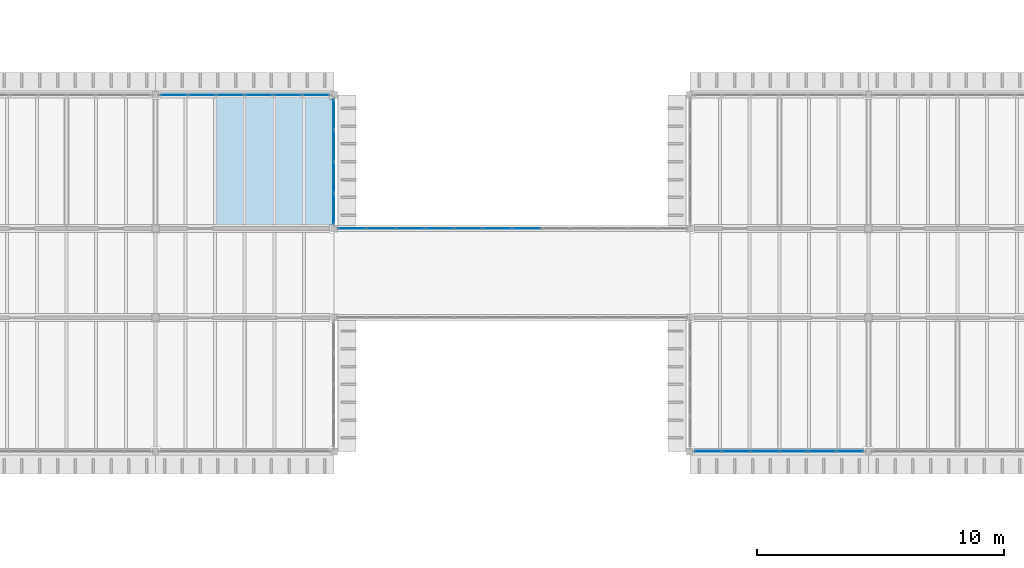
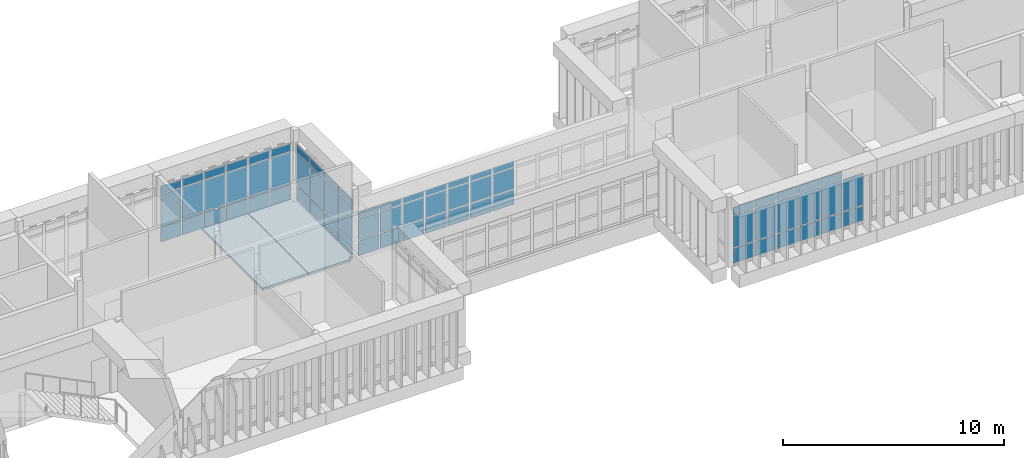
# One storey, part 25 of 51: 68 plates, 2 slabs, 4 elements without a shape of their own.
"""IFC4 building model written with IfcOpenShell, lengths in metres."""

from ifc_helpers import new_model, si_unit, direction, frame, origin, origin_2d, place, context, subcontext, project, spatial, polyline, rectangle, outline, extrude, material, layer, layer_set, type_object, element, aggregate, save


model = new_model("IFC4")

# Units and contexts
model_context = context("Model", 3, precision=1e-05, world=origin(), true_north=direction((0.0, 1.0)))
body_context = subcontext(model_context, "Body", "Model", "MODEL_VIEW")
ifc_project = project(units=[si_unit("LENGTHUNIT", "METRE"), si_unit("AREAUNIT", "SQUARE_METRE"), si_unit("VOLUMEUNIT", "CUBIC_METRE"), si_unit("PLANEANGLEUNIT", "RADIAN"), si_unit("MASSUNIT", "GRAM", prefix="KILO")], contexts=[model_context])

# Site, building, storey
site_placement = place(None, origin())
site = spatial("IfcSite", under=ifc_project, at=site_placement, CompositionType="ELEMENT")
building_placement = place(site_placement, origin())
building = spatial("IfcBuilding", under=site, at=building_placement, Name="Mazhai Court Health Centre", CompositionType="ELEMENT")
storey_placement = place(building_placement, frame((0.0, 0.0, 14.10009765625)))
storey = spatial("IfcBuildingStorey", under=building, at=storey_placement, Name="L03", CompositionType="ELEMENT", Elevation=14.10009765625)

# Slabs
ifc_material_1 = material(Name="CLT C24 5-ply", Category="wood")
ifc_layer_1 = layer(ifc_material_1, 0.1201171875)
ifc_layer_set_1 = layer_set([ifc_layer_1], Name="CLT C24 5-ply 120 floor panel")
slab_type = type_object("IfcSlabType", Name="CLT C24 5-ply 120 floor panel", PredefinedType="FLOOR", material=ifc_layer_set_1)
slab_1_placement = place(storey_placement, frame((0.0, 0.0, -0.1201171875)))
element("IfcSlab", 1, at=slab_1_placement, inside=storey, type_object=slab_type, Name="slab-V4-L03-b2-B1", PredefinedType="FLOOR", context=body_context, shape_type="SweptSolid", body=[
    extrude(outline(polyline([(87.81005859375, 22.409912109375), (90.18994140625, 22.409912109375), (90.18994140625, 27.919921875), (87.81005859375, 27.919921875), (87.81005859375, 22.409912109375)])), origin(), (0.0, 0.0, 1.0), 0.1201171875),
])
slab_2_placement = place(storey_placement, frame((0.0, 0.0, -0.1201171875)))
element("IfcSlab", 2, at=slab_2_placement, inside=storey, type_object=slab_type, Name="slab-V4-L03-b2-B2", PredefinedType="FLOOR", context=body_context, shape_type="SweptSolid", body=[
    extrude(outline(polyline([(92.60009765625, 22.570068359375), (92.60009765625, 27.6298828125), (92.429931640625, 27.6298828125), (92.429931640625, 27.919921875), (90.2099609375, 27.919921875), (90.2099609375, 22.409912109375), (92.429931640625, 22.409912109375), (92.429931640625, 22.570068359375), (92.60009765625, 22.570068359375)])), origin(), (0.0, 0.0, 1.0), 0.1201171875),
])

# Curtain wall, plates
ifc_material_2 = material(Name="Teak timber frame, glazed", Category="wood")
ifc_layer_2 = layer(ifc_material_2, 0.10009765625)
ifc_layer_set_2 = layer_set([ifc_layer_2], Name="CURTAIN WALL TIMBER 1200")
curtain_wall_type = type_object("IfcCurtainWallType", Name="CURTAIN WALL TIMBER 1200", PredefinedType="NOTDEFINED", material=ifc_layer_set_2)
curtain_wall_1_placement = place(storey_placement, origin())
curtain_wall_1 = element("IfcCurtainWall", 3, at=curtain_wall_1_placement, inside=storey, type_object=curtain_wall_type, Name="CW-V4-L03-A5", PredefinedType="NOTDEFINED")
ifc_material_3 = material(Name="Glass IGU 28 mm", Category="glass")
ifc_layer_3 = layer(ifc_material_3, 0.028076171875)
ifc_layer_set_3 = layer_set([ifc_layer_3], Name="CW PANEL IGU 28")
plate_type = type_object("IfcPlateType", Name="CW PANEL IGU 28", PredefinedType="CURTAIN_PANEL", material=ifc_layer_set_3)
plate_1_placement = place(storey_placement, frame((113.46826171875, 13.39990234375, 0.059814453125), z_axis=(0.0, 0.0, 1.0), x_axis=(-1.0, 0.0, 0.0)))
plate_1 = element("IfcPlate", 4, at=plate_1_placement, type_object=plate_type, Name="CW panel 1.1", PredefinedType="CURTAIN_PANEL", context=body_context, shape_type="SweptSolid", body=[
    extrude(rectangle(XDim=1.063232421875, YDim=0.028076171875, at=origin_2d()), origin(), (0.0, 0.0, 1.0), 0.81005859375),
])
plate_2_placement = place(storey_placement, frame((113.46826171875, 13.39990234375, 0.9296875), z_axis=(0.0, 0.0, 1.0), x_axis=(-1.0, 0.0, 0.0)))
plate_2 = element("IfcPlate", 5, at=plate_2_placement, type_object=plate_type, Name="CW panel 1.2", PredefinedType="CURTAIN_PANEL", context=body_context, shape_type="SweptSolid", body=[
    extrude(rectangle(XDim=1.063232421875, YDim=0.028076171875, at=origin_2d()), origin(), (0.0, 0.0, 1.0), 1.739990234375),
])
plate_3_placement = place(storey_placement, frame((112.330078125, 13.39990234375, 0.059814453125), z_axis=(0.0, 0.0, 1.0), x_axis=(-1.0, 0.0, 0.0)))
plate_3 = element("IfcPlate", 6, at=plate_3_placement, type_object=plate_type, Name="CW panel 2.1", PredefinedType="CURTAIN_PANEL", context=body_context, shape_type="SweptSolid", body=[
    extrude(rectangle(XDim=1.09326171875, YDim=0.028076171875, at=origin_2d()), origin(), (0.0, 0.0, 1.0), 0.81005859375),
])
plate_4_placement = place(storey_placement, frame((112.330078125, 13.39990234375, 0.9296875), z_axis=(0.0, 0.0, 1.0), x_axis=(-1.0, 0.0, 0.0)))
plate_4 = element("IfcPlate", 7, at=plate_4_placement, type_object=plate_type, Name="CW panel 2.2", PredefinedType="CURTAIN_PANEL", context=body_context, shape_type="SweptSolid", body=[
    extrude(rectangle(XDim=1.09326171875, YDim=0.028076171875, at=origin_2d()), origin(), (0.0, 0.0, 1.0), 1.739990234375),
])
plate_5_placement = place(storey_placement, frame((112.330078125, 13.39990234375, 2.72998046875), z_axis=(0.0, 0.0, 1.0), x_axis=(-1.0, 0.0, 0.0)))
plate_5 = element("IfcPlate", 8, at=plate_5_placement, type_object=plate_type, Name="CW panel 2.3", PredefinedType="CURTAIN_PANEL", context=body_context, shape_type="SweptSolid", body=[
    extrude(rectangle(XDim=1.09326171875, YDim=0.028076171875, at=origin_2d()), origin(), (0.0, 0.0, 1.0), 0.409912109375),
])
plate_6_placement = place(storey_placement, frame((111.1767578125, 13.39990234375, 0.059814453125), z_axis=(0.0, 0.0, 1.0), x_axis=(-1.0, 0.0, 0.0)))
plate_6 = element("IfcPlate", 9, at=plate_6_placement, type_object=plate_type, Name="CW panel 3.1", PredefinedType="CURTAIN_PANEL", context=body_context, shape_type="SweptSolid", body=[
    extrude(rectangle(XDim=1.09326171875, YDim=0.028076171875, at=origin_2d()), origin(), (0.0, 0.0, 1.0), 0.81005859375),
])
plate_7_placement = place(storey_placement, frame((111.1767578125, 13.39990234375, 0.9296875), z_axis=(0.0, 0.0, 1.0), x_axis=(-1.0, 0.0, 0.0)))
plate_7 = element("IfcPlate", 10, at=plate_7_placement, type_object=plate_type, Name="CW panel 3.2", PredefinedType="CURTAIN_PANEL", context=body_context, shape_type="SweptSolid", body=[
    extrude(rectangle(XDim=1.09326171875, YDim=0.028076171875, at=origin_2d()), origin(), (0.0, 0.0, 1.0), 1.739990234375),
])
plate_8_placement = place(storey_placement, frame((111.1767578125, 13.39990234375, 2.72998046875), z_axis=(0.0, 0.0, 1.0), x_axis=(-1.0, 0.0, 0.0)))
plate_8 = element("IfcPlate", 11, at=plate_8_placement, type_object=plate_type, Name="CW panel 3.3", PredefinedType="CURTAIN_PANEL", context=body_context, shape_type="SweptSolid", body=[
    extrude(rectangle(XDim=1.09326171875, YDim=0.028076171875, at=origin_2d()), origin(), (0.0, 0.0, 1.0), 0.409912109375),
])
plate_9_placement = place(storey_placement, frame((110.0234375, 13.39990234375, 0.059814453125), z_axis=(0.0, 0.0, 1.0), x_axis=(-1.0, 0.0, 0.0)))
plate_9 = element("IfcPlate", 12, at=plate_9_placement, type_object=plate_type, Name="CW panel 4.1", PredefinedType="CURTAIN_PANEL", context=body_context, shape_type="SweptSolid", body=[
    extrude(rectangle(XDim=1.09326171875, YDim=0.028076171875, at=origin_2d()), origin(), (0.0, 0.0, 1.0), 0.81005859375),
])
plate_10_placement = place(storey_placement, frame((110.0234375, 13.39990234375, 0.9296875), z_axis=(0.0, 0.0, 1.0), x_axis=(-1.0, 0.0, 0.0)))
plate_10 = element("IfcPlate", 13, at=plate_10_placement, type_object=plate_type, Name="CW panel 4.2", PredefinedType="CURTAIN_PANEL", context=body_context, shape_type="SweptSolid", body=[
    extrude(rectangle(XDim=1.09326171875, YDim=0.028076171875, at=origin_2d()), origin(), (0.0, 0.0, 1.0), 1.739990234375),
])
plate_11_placement = place(storey_placement, frame((110.0234375, 13.39990234375, 2.72998046875), z_axis=(0.0, 0.0, 1.0), x_axis=(-1.0, 0.0, 0.0)))
plate_11 = element("IfcPlate", 14, at=plate_11_placement, type_object=plate_type, Name="CW panel 4.3", PredefinedType="CURTAIN_PANEL", context=body_context, shape_type="SweptSolid", body=[
    extrude(rectangle(XDim=1.09326171875, YDim=0.028076171875, at=origin_2d()), origin(), (0.0, 0.0, 1.0), 0.409912109375),
])
plate_12_placement = place(storey_placement, frame((108.8701171875, 13.39990234375, 0.059814453125), z_axis=(0.0, 0.0, 1.0), x_axis=(-1.0, 0.0, 0.0)))
plate_12 = element("IfcPlate", 15, at=plate_12_placement, type_object=plate_type, Name="CW panel 5.1", PredefinedType="CURTAIN_PANEL", context=body_context, shape_type="SweptSolid", body=[
    extrude(rectangle(XDim=1.09326171875, YDim=0.028076171875, at=origin_2d()), origin(), (0.0, 0.0, 1.0), 0.81005859375),
])
plate_13_placement = place(storey_placement, frame((108.8701171875, 13.39990234375, 0.9296875), z_axis=(0.0, 0.0, 1.0), x_axis=(-1.0, 0.0, 0.0)))
plate_13 = element("IfcPlate", 16, at=plate_13_placement, type_object=plate_type, Name="CW panel 5.2", PredefinedType="CURTAIN_PANEL", context=body_context, shape_type="SweptSolid", body=[
    extrude(rectangle(XDim=1.09326171875, YDim=0.028076171875, at=origin_2d()), origin(), (0.0, 0.0, 1.0), 1.739990234375),
])
plate_14_placement = place(storey_placement, frame((108.8701171875, 13.39990234375, 2.72998046875), z_axis=(0.0, 0.0, 1.0), x_axis=(-1.0, 0.0, 0.0)))
plate_14 = element("IfcPlate", 17, at=plate_14_placement, type_object=plate_type, Name="CW panel 5.3", PredefinedType="CURTAIN_PANEL", context=body_context, shape_type="SweptSolid", body=[
    extrude(rectangle(XDim=1.09326171875, YDim=0.028076171875, at=origin_2d()), origin(), (0.0, 0.0, 1.0), 0.409912109375),
])
plate_15_placement = place(storey_placement, frame((107.731689453125, 13.39990234375, 0.059814453125), z_axis=(0.0, 0.0, 1.0), x_axis=(-1.0, 0.0, 0.0)))
plate_15 = element("IfcPlate", 18, at=plate_15_placement, type_object=plate_type, Name="CW panel 6.1", PredefinedType="CURTAIN_PANEL", context=body_context, shape_type="SweptSolid", body=[
    extrude(rectangle(XDim=1.063232421875, YDim=0.028076171875, at=origin_2d()), origin(), (0.0, 0.0, 1.0), 0.81005859375),
])
plate_16_placement = place(storey_placement, frame((107.731689453125, 13.39990234375, 0.9296875), z_axis=(0.0, 0.0, 1.0), x_axis=(-1.0, 0.0, 0.0)))
plate_16 = element("IfcPlate", 19, at=plate_16_placement, type_object=plate_type, Name="CW panel 6.2", PredefinedType="CURTAIN_PANEL", context=body_context, shape_type="SweptSolid", body=[
    extrude(rectangle(XDim=1.063232421875, YDim=0.028076171875, at=origin_2d()), origin(), (0.0, 0.0, 1.0), 1.739990234375),
])
plate_17_placement = place(storey_placement, frame((107.731689453125, 13.39990234375, 2.72998046875), z_axis=(0.0, 0.0, 1.0), x_axis=(-1.0, 0.0, 0.0)))
plate_17 = element("IfcPlate", 20, at=plate_17_placement, type_object=plate_type, Name="CW panel 6.3", PredefinedType="CURTAIN_PANEL", context=body_context, shape_type="SweptSolid", body=[
    extrude(rectangle(XDim=1.063232421875, YDim=0.028076171875, at=origin_2d()), origin(), (0.0, 0.0, 1.0), 0.409912109375),
])
aggregate(curtain_wall_1, [plate_1, plate_2, plate_3, plate_4, plate_5, plate_6, plate_7, plate_8, plate_9, plate_10, plate_11, plate_12, plate_13, plate_14, plate_15, plate_16, plate_17])

curtain_wall_2_placement = place(storey_placement, origin())
curtain_wall_2 = element("IfcCurtainWall", 21, at=curtain_wall_2_placement, inside=storey, type_object=curtain_wall_type, Name="CW-V4-L03-B2", PredefinedType="NOTDEFINED")
plate_18_placement = place(storey_placement, frame((86.131591796875, 27.800048828125, 0.059814453125), z_axis=(0.0, 0.0, 1.0), x_axis=(1.0, 0.0, 0.0)))
plate_18 = element("IfcPlate", 22, at=plate_18_placement, type_object=plate_type, Name="CW panel 1.1", PredefinedType="CURTAIN_PANEL", context=body_context, shape_type="SweptSolid", body=[
    extrude(rectangle(XDim=1.063232421875, YDim=0.028076171875, at=origin_2d()), origin(), (0.0, 0.0, 1.0), 0.81005859375),
])
plate_19_placement = place(storey_placement, frame((86.131591796875, 27.800048828125, 0.9296875), z_axis=(0.0, 0.0, 1.0), x_axis=(1.0, 0.0, 0.0)))
plate_19 = element("IfcPlate", 23, at=plate_19_placement, type_object=plate_type, Name="CW panel 1.2", PredefinedType="CURTAIN_PANEL", context=body_context, shape_type="SweptSolid", body=[
    extrude(rectangle(XDim=1.063232421875, YDim=0.028076171875, at=origin_2d()), origin(), (0.0, 0.0, 1.0), 1.739990234375),
])
plate_20_placement = place(storey_placement, frame((86.131591796875, 27.800048828125, 2.72998046875), z_axis=(0.0, 0.0, 1.0), x_axis=(1.0, 0.0, 0.0)))
plate_20 = element("IfcPlate", 24, at=plate_20_placement, type_object=plate_type, Name="CW panel 1.3", PredefinedType="CURTAIN_PANEL", context=body_context, shape_type="SweptSolid", body=[
    extrude(rectangle(XDim=1.063232421875, YDim=0.028076171875, at=origin_2d()), origin(), (0.0, 0.0, 1.0), 0.409912109375),
])
plate_21_placement = place(storey_placement, frame((87.27001953125, 27.800048828125, 0.059814453125), z_axis=(0.0, 0.0, 1.0), x_axis=(1.0, 0.0, 0.0)))
plate_21 = element("IfcPlate", 25, at=plate_21_placement, type_object=plate_type, Name="CW panel 2.1", PredefinedType="CURTAIN_PANEL", context=body_context, shape_type="SweptSolid", body=[
    extrude(rectangle(XDim=1.09326171875, YDim=0.028076171875, at=origin_2d()), origin(), (0.0, 0.0, 1.0), 0.81005859375),
])
plate_22_placement = place(storey_placement, frame((87.27001953125, 27.800048828125, 0.9296875), z_axis=(0.0, 0.0, 1.0), x_axis=(1.0, 0.0, 0.0)))
plate_22 = element("IfcPlate", 26, at=plate_22_placement, type_object=plate_type, Name="CW panel 2.2", PredefinedType="CURTAIN_PANEL", context=body_context, shape_type="SweptSolid", body=[
    extrude(rectangle(XDim=1.09326171875, YDim=0.028076171875, at=origin_2d()), origin(), (0.0, 0.0, 1.0), 1.739990234375),
])
plate_23_placement = place(storey_placement, frame((87.27001953125, 27.800048828125, 2.72998046875), z_axis=(0.0, 0.0, 1.0), x_axis=(1.0, 0.0, 0.0)))
plate_23 = element("IfcPlate", 27, at=plate_23_placement, type_object=plate_type, Name="CW panel 2.3", PredefinedType="CURTAIN_PANEL", context=body_context, shape_type="SweptSolid", body=[
    extrude(rectangle(XDim=1.09326171875, YDim=0.028076171875, at=origin_2d()), origin(), (0.0, 0.0, 1.0), 0.409912109375),
])
plate_24_placement = place(storey_placement, frame((88.42333984375, 27.800048828125, 0.059814453125), z_axis=(0.0, 0.0, 1.0), x_axis=(1.0, 0.0, 0.0)))
plate_24 = element("IfcPlate", 28, at=plate_24_placement, type_object=plate_type, Name="CW panel 3.1", PredefinedType="CURTAIN_PANEL", context=body_context, shape_type="SweptSolid", body=[
    extrude(rectangle(XDim=1.09326171875, YDim=0.028076171875, at=origin_2d()), origin(), (0.0, 0.0, 1.0), 0.81005859375),
])
plate_25_placement = place(storey_placement, frame((88.42333984375, 27.800048828125, 0.9296875), z_axis=(0.0, 0.0, 1.0), x_axis=(1.0, 0.0, 0.0)))
plate_25 = element("IfcPlate", 29, at=plate_25_placement, type_object=plate_type, Name="CW panel 3.2", PredefinedType="CURTAIN_PANEL", context=body_context, shape_type="SweptSolid", body=[
    extrude(rectangle(XDim=1.09326171875, YDim=0.028076171875, at=origin_2d()), origin(), (0.0, 0.0, 1.0), 1.739990234375),
])
plate_26_placement = place(storey_placement, frame((88.42333984375, 27.800048828125, 2.72998046875), z_axis=(0.0, 0.0, 1.0), x_axis=(1.0, 0.0, 0.0)))
plate_26 = element("IfcPlate", 30, at=plate_26_placement, type_object=plate_type, Name="CW panel 3.3", PredefinedType="CURTAIN_PANEL", context=body_context, shape_type="SweptSolid", body=[
    extrude(rectangle(XDim=1.09326171875, YDim=0.028076171875, at=origin_2d()), origin(), (0.0, 0.0, 1.0), 0.409912109375),
])
plate_27_placement = place(storey_placement, frame((89.57666015625, 27.800048828125, 0.059814453125), z_axis=(0.0, 0.0, 1.0), x_axis=(1.0, 0.0, 0.0)))
plate_27 = element("IfcPlate", 31, at=plate_27_placement, type_object=plate_type, Name="CW panel 4.1", PredefinedType="CURTAIN_PANEL", context=body_context, shape_type="SweptSolid", body=[
    extrude(rectangle(XDim=1.09326171875, YDim=0.028076171875, at=origin_2d()), origin(), (0.0, 0.0, 1.0), 0.81005859375),
])
plate_28_placement = place(storey_placement, frame((89.57666015625, 27.800048828125, 0.9296875), z_axis=(0.0, 0.0, 1.0), x_axis=(1.0, 0.0, 0.0)))
plate_28 = element("IfcPlate", 32, at=plate_28_placement, type_object=plate_type, Name="CW panel 4.2", PredefinedType="CURTAIN_PANEL", context=body_context, shape_type="SweptSolid", body=[
    extrude(rectangle(XDim=1.09326171875, YDim=0.028076171875, at=origin_2d()), origin(), (0.0, 0.0, 1.0), 1.739990234375),
])
plate_29_placement = place(storey_placement, frame((89.57666015625, 27.800048828125, 2.72998046875), z_axis=(0.0, 0.0, 1.0), x_axis=(1.0, 0.0, 0.0)))
plate_29 = element("IfcPlate", 33, at=plate_29_placement, type_object=plate_type, Name="CW panel 4.3", PredefinedType="CURTAIN_PANEL", context=body_context, shape_type="SweptSolid", body=[
    extrude(rectangle(XDim=1.09326171875, YDim=0.028076171875, at=origin_2d()), origin(), (0.0, 0.0, 1.0), 0.409912109375),
])
plate_30_placement = place(storey_placement, frame((90.72998046875, 27.800048828125, 0.059814453125), z_axis=(0.0, 0.0, 1.0), x_axis=(1.0, 0.0, 0.0)))
plate_30 = element("IfcPlate", 34, at=plate_30_placement, type_object=plate_type, Name="CW panel 5.1", PredefinedType="CURTAIN_PANEL", context=body_context, shape_type="SweptSolid", body=[
    extrude(rectangle(XDim=1.09326171875, YDim=0.028076171875, at=origin_2d()), origin(), (0.0, 0.0, 1.0), 0.81005859375),
])
plate_31_placement = place(storey_placement, frame((90.72998046875, 27.800048828125, 0.9296875), z_axis=(0.0, 0.0, 1.0), x_axis=(1.0, 0.0, 0.0)))
plate_31 = element("IfcPlate", 35, at=plate_31_placement, type_object=plate_type, Name="CW panel 5.2", PredefinedType="CURTAIN_PANEL", context=body_context, shape_type="SweptSolid", body=[
    extrude(rectangle(XDim=1.09326171875, YDim=0.028076171875, at=origin_2d()), origin(), (0.0, 0.0, 1.0), 1.739990234375),
])
plate_32_placement = place(storey_placement, frame((90.72998046875, 27.800048828125, 2.72998046875), z_axis=(0.0, 0.0, 1.0), x_axis=(1.0, 0.0, 0.0)))
plate_32 = element("IfcPlate", 36, at=plate_32_placement, type_object=plate_type, Name="CW panel 5.3", PredefinedType="CURTAIN_PANEL", context=body_context, shape_type="SweptSolid", body=[
    extrude(rectangle(XDim=1.09326171875, YDim=0.028076171875, at=origin_2d()), origin(), (0.0, 0.0, 1.0), 0.409912109375),
])
plate_33_placement = place(storey_placement, frame((91.868408203125, 27.800048828125, 0.059814453125), z_axis=(0.0, 0.0, 1.0), x_axis=(1.0, 0.0, 0.0)))
plate_33 = element("IfcPlate", 37, at=plate_33_placement, type_object=plate_type, Name="CW panel 6.1", PredefinedType="CURTAIN_PANEL", context=body_context, shape_type="SweptSolid", body=[
    extrude(rectangle(XDim=1.063232421875, YDim=0.028076171875, at=origin_2d()), origin(), (0.0, 0.0, 1.0), 0.81005859375),
])
plate_34_placement = place(storey_placement, frame((91.868408203125, 27.800048828125, 0.9296875), z_axis=(0.0, 0.0, 1.0), x_axis=(1.0, 0.0, 0.0)))
plate_34 = element("IfcPlate", 38, at=plate_34_placement, type_object=plate_type, Name="CW panel 6.2", PredefinedType="CURTAIN_PANEL", context=body_context, shape_type="SweptSolid", body=[
    extrude(rectangle(XDim=1.063232421875, YDim=0.028076171875, at=origin_2d()), origin(), (0.0, 0.0, 1.0), 1.739990234375),
])
plate_35_placement = place(storey_placement, frame((91.868408203125, 27.800048828125, 2.72998046875), z_axis=(0.0, 0.0, 1.0), x_axis=(1.0, 0.0, 0.0)))
plate_35 = element("IfcPlate", 39, at=plate_35_placement, type_object=plate_type, Name="CW panel 6.3", PredefinedType="CURTAIN_PANEL", context=body_context, shape_type="SweptSolid", body=[
    extrude(rectangle(XDim=1.063232421875, YDim=0.028076171875, at=origin_2d()), origin(), (0.0, 0.0, 1.0), 0.409912109375),
])
aggregate(curtain_wall_2, [plate_18, plate_19, plate_20, plate_21, plate_22, plate_23, plate_24, plate_25, plate_26, plate_27, plate_28, plate_29, plate_30, plate_31, plate_32, plate_33, plate_34, plate_35])

curtain_wall_3_placement = place(storey_placement, origin())
curtain_wall_3 = element("IfcCurtainWall", 40, at=curtain_wall_3_placement, inside=storey, type_object=curtain_wall_type, Name="CW-V4-L03-CE2-1", PredefinedType="NOTDEFINED")
plate_36_placement = place(storey_placement, frame((92.60009765625, 27.0048828125, 0.059814453125), z_axis=(0.0, 0.0, 1.0), x_axis=(0.0, -1.0, 0.0)))
plate_36 = element("IfcPlate", 41, at=plate_36_placement, type_object=plate_type, Name="CW panel 1.1", PredefinedType="CURTAIN_PANEL", context=body_context, shape_type="SweptSolid", body=[
    extrude(rectangle(XDim=1.18994140625, YDim=0.028076171875, at=origin_2d()), origin(), (0.0, 0.0, 1.0), 0.81005859375),
])
plate_37_placement = place(storey_placement, frame((92.60009765625, 27.0048828125, 0.9296875), z_axis=(0.0, 0.0, 1.0), x_axis=(0.0, -1.0, 0.0)))
plate_37 = element("IfcPlate", 42, at=plate_37_placement, type_object=plate_type, Name="CW panel 1.2", PredefinedType="CURTAIN_PANEL", context=body_context, shape_type="SweptSolid", body=[
    extrude(rectangle(XDim=1.18994140625, YDim=0.028076171875, at=origin_2d()), origin(), (0.0, 0.0, 1.0), 1.739990234375),
])
plate_38_placement = place(storey_placement, frame((92.60009765625, 27.0048828125, 2.72998046875), z_axis=(0.0, 0.0, 1.0), x_axis=(0.0, -1.0, 0.0)))
plate_38 = element("IfcPlate", 43, at=plate_38_placement, type_object=plate_type, Name="CW panel 1.3", PredefinedType="CURTAIN_PANEL", context=body_context, shape_type="SweptSolid", body=[
    extrude(rectangle(XDim=1.18994140625, YDim=0.028076171875, at=origin_2d()), origin(), (0.0, 0.0, 1.0), 0.409912109375),
])
plate_39_placement = place(storey_placement, frame((92.60009765625, 25.739990234375, 0.059814453125), z_axis=(0.0, 0.0, 1.0), x_axis=(0.0, -1.0, 0.0)))
plate_39 = element("IfcPlate", 44, at=plate_39_placement, type_object=plate_type, Name="CW panel 2.1", PredefinedType="CURTAIN_PANEL", context=body_context, shape_type="SweptSolid", body=[
    extrude(rectangle(XDim=1.219970703125, YDim=0.028076171875, at=origin_2d()), origin(), (0.0, 0.0, 1.0), 0.81005859375),
])
plate_40_placement = place(storey_placement, frame((92.60009765625, 25.739990234375, 0.9296875), z_axis=(0.0, 0.0, 1.0), x_axis=(0.0, -1.0, 0.0)))
plate_40 = element("IfcPlate", 45, at=plate_40_placement, type_object=plate_type, Name="CW panel 2.2", PredefinedType="CURTAIN_PANEL", context=body_context, shape_type="SweptSolid", body=[
    extrude(rectangle(XDim=1.219970703125, YDim=0.028076171875, at=origin_2d()), origin(), (0.0, 0.0, 1.0), 1.739990234375),
])
plate_41_placement = place(storey_placement, frame((92.60009765625, 25.739990234375, 2.72998046875), z_axis=(0.0, 0.0, 1.0), x_axis=(0.0, -1.0, 0.0)))
plate_41 = element("IfcPlate", 46, at=plate_41_placement, type_object=plate_type, Name="CW panel 2.3", PredefinedType="CURTAIN_PANEL", context=body_context, shape_type="SweptSolid", body=[
    extrude(rectangle(XDim=1.219970703125, YDim=0.028076171875, at=origin_2d()), origin(), (0.0, 0.0, 1.0), 0.409912109375),
])
plate_42_placement = place(storey_placement, frame((92.60009765625, 24.4599609375, 0.059814453125), z_axis=(0.0, 0.0, 1.0), x_axis=(0.0, -1.0, 0.0)))
plate_42 = element("IfcPlate", 47, at=plate_42_placement, type_object=plate_type, Name="CW panel 3.1", PredefinedType="CURTAIN_PANEL", context=body_context, shape_type="SweptSolid", body=[
    extrude(rectangle(XDim=1.219970703125, YDim=0.028076171875, at=origin_2d()), origin(), (0.0, 0.0, 1.0), 0.81005859375),
])
plate_43_placement = place(storey_placement, frame((92.60009765625, 24.4599609375, 0.9296875), z_axis=(0.0, 0.0, 1.0), x_axis=(0.0, -1.0, 0.0)))
plate_43 = element("IfcPlate", 48, at=plate_43_placement, type_object=plate_type, Name="CW panel 3.2", PredefinedType="CURTAIN_PANEL", context=body_context, shape_type="SweptSolid", body=[
    extrude(rectangle(XDim=1.219970703125, YDim=0.028076171875, at=origin_2d()), origin(), (0.0, 0.0, 1.0), 1.739990234375),
])
plate_44_placement = place(storey_placement, frame((92.60009765625, 24.4599609375, 2.72998046875), z_axis=(0.0, 0.0, 1.0), x_axis=(0.0, -1.0, 0.0)))
plate_44 = element("IfcPlate", 49, at=plate_44_placement, type_object=plate_type, Name="CW panel 3.3", PredefinedType="CURTAIN_PANEL", context=body_context, shape_type="SweptSolid", body=[
    extrude(rectangle(XDim=1.219970703125, YDim=0.028076171875, at=origin_2d()), origin(), (0.0, 0.0, 1.0), 0.409912109375),
])
plate_45_placement = place(storey_placement, frame((92.60009765625, 23.195068359375, 0.059814453125), z_axis=(0.0, 0.0, 1.0), x_axis=(0.0, -1.0, 0.0)))
plate_45 = element("IfcPlate", 50, at=plate_45_placement, type_object=plate_type, Name="CW panel 4.1", PredefinedType="CURTAIN_PANEL", context=body_context, shape_type="SweptSolid", body=[
    extrude(rectangle(XDim=1.18994140625, YDim=0.028076171875, at=origin_2d()), origin(), (0.0, 0.0, 1.0), 0.81005859375),
])
plate_46_placement = place(storey_placement, frame((92.60009765625, 23.195068359375, 0.9296875), z_axis=(0.0, 0.0, 1.0), x_axis=(0.0, -1.0, 0.0)))
plate_46 = element("IfcPlate", 51, at=plate_46_placement, type_object=plate_type, Name="CW panel 4.2", PredefinedType="CURTAIN_PANEL", context=body_context, shape_type="SweptSolid", body=[
    extrude(rectangle(XDim=1.18994140625, YDim=0.028076171875, at=origin_2d()), origin(), (0.0, 0.0, 1.0), 1.739990234375),
])
plate_47_placement = place(storey_placement, frame((92.60009765625, 23.195068359375, 2.72998046875), z_axis=(0.0, 0.0, 1.0), x_axis=(0.0, -1.0, 0.0)))
plate_47 = element("IfcPlate", 52, at=plate_47_placement, type_object=plate_type, Name="CW panel 4.3", PredefinedType="CURTAIN_PANEL", context=body_context, shape_type="SweptSolid", body=[
    extrude(rectangle(XDim=1.18994140625, YDim=0.028076171875, at=origin_2d()), origin(), (0.0, 0.0, 1.0), 0.409912109375),
])
aggregate(curtain_wall_3, [plate_36, plate_37, plate_38, plate_39, plate_40, plate_41, plate_42, plate_43, plate_44, plate_45, plate_46, plate_47])

curtain_wall_4_placement = place(storey_placement, origin())
curtain_wall_4 = element("IfcCurtainWall", 53, at=curtain_wall_4_placement, inside=storey, type_object=curtain_wall_type, Name="CW-BR-LC3-N", PredefinedType="NOTDEFINED")
plate_48_placement = place(storey_placement, frame((93.34326171875, 22.39990234375, 0.059814453125), z_axis=(0.0, 0.0, 1.0), x_axis=(1.0, 0.0, 0.0)))
plate_48 = element("IfcPlate", 54, at=plate_48_placement, type_object=plate_type, Name="CW panel 1.1", PredefinedType="CURTAIN_PANEL", context=body_context, shape_type="SweptSolid", body=[
    extrude(rectangle(XDim=1.086669921875, YDim=0.028076171875, at=origin_2d()), origin(), (0.0, 0.0, 1.0), 0.81005859375),
])
plate_49_placement = place(storey_placement, frame((93.34326171875, 22.39990234375, 0.929931640625), z_axis=(0.0, 0.0, 1.0), x_axis=(1.0, 0.0, 0.0)))
plate_49 = element("IfcPlate", 55, at=plate_49_placement, type_object=plate_type, Name="CW panel 1.2", PredefinedType="CURTAIN_PANEL", context=body_context, shape_type="SweptSolid", body=[
    extrude(rectangle(XDim=1.086669921875, YDim=0.028076171875, at=origin_2d()), origin(), (0.0, 0.0, 1.0), 1.14501953125),
])
plate_50_placement = place(storey_placement, frame((93.34326171875, 22.39990234375, 2.134765625), z_axis=(0.0, 0.0, 1.0), x_axis=(1.0, 0.0, 0.0)))
plate_50 = element("IfcPlate", 56, at=plate_50_placement, type_object=plate_type, Name="CW panel 1.3", PredefinedType="CURTAIN_PANEL", context=body_context, shape_type="SweptSolid", body=[
    extrude(rectangle(XDim=1.086669921875, YDim=0.028076171875, at=origin_2d()), origin(), (0.0, 0.0, 1.0), 0.31005859375),
])
plate_51_placement = place(storey_placement, frame((94.5048828125, 22.39990234375, 0.059814453125), z_axis=(0.0, 0.0, 1.0), x_axis=(1.0, 0.0, 0.0)))
plate_51 = element("IfcPlate", 57, at=plate_51_placement, type_object=plate_type, Name="CW panel 2.1", PredefinedType="CURTAIN_PANEL", context=body_context, shape_type="SweptSolid", body=[
    extrude(rectangle(XDim=1.11669921875, YDim=0.028076171875, at=origin_2d()), origin(), (0.0, 0.0, 1.0), 0.81005859375),
])
plate_52_placement = place(storey_placement, frame((94.5048828125, 22.39990234375, 0.929931640625), z_axis=(0.0, 0.0, 1.0), x_axis=(1.0, 0.0, 0.0)))
plate_52 = element("IfcPlate", 58, at=plate_52_placement, type_object=plate_type, Name="CW panel 2.2", PredefinedType="CURTAIN_PANEL", context=body_context, shape_type="SweptSolid", body=[
    extrude(rectangle(XDim=1.11669921875, YDim=0.028076171875, at=origin_2d()), origin(), (0.0, 0.0, 1.0), 1.14501953125),
])
plate_53_placement = place(storey_placement, frame((94.5048828125, 22.39990234375, 2.134765625), z_axis=(0.0, 0.0, 1.0), x_axis=(1.0, 0.0, 0.0)))
plate_53 = element("IfcPlate", 59, at=plate_53_placement, type_object=plate_type, Name="CW panel 2.3", PredefinedType="CURTAIN_PANEL", context=body_context, shape_type="SweptSolid", body=[
    extrude(rectangle(XDim=1.11669921875, YDim=0.028076171875, at=origin_2d()), origin(), (0.0, 0.0, 1.0), 0.31005859375),
])
plate_54_placement = place(storey_placement, frame((95.681640625, 22.39990234375, 0.059814453125), z_axis=(0.0, 0.0, 1.0), x_axis=(1.0, 0.0, 0.0)))
plate_54 = element("IfcPlate", 60, at=plate_54_placement, type_object=plate_type, Name="CW panel 3.1", PredefinedType="CURTAIN_PANEL", context=body_context, shape_type="SweptSolid", body=[
    extrude(rectangle(XDim=1.11669921875, YDim=0.028076171875, at=origin_2d()), origin(), (0.0, 0.0, 1.0), 0.81005859375),
])
plate_55_placement = place(storey_placement, frame((95.681640625, 22.39990234375, 0.929931640625), z_axis=(0.0, 0.0, 1.0), x_axis=(1.0, 0.0, 0.0)))
plate_55 = element("IfcPlate", 61, at=plate_55_placement, type_object=plate_type, Name="CW panel 3.2", PredefinedType="CURTAIN_PANEL", context=body_context, shape_type="SweptSolid", body=[
    extrude(rectangle(XDim=1.11669921875, YDim=0.028076171875, at=origin_2d()), origin(), (0.0, 0.0, 1.0), 1.14501953125),
])
plate_56_placement = place(storey_placement, frame((95.681640625, 22.39990234375, 2.134765625), z_axis=(0.0, 0.0, 1.0), x_axis=(1.0, 0.0, 0.0)))
plate_56 = element("IfcPlate", 62, at=plate_56_placement, type_object=plate_type, Name="CW panel 3.3", PredefinedType="CURTAIN_PANEL", context=body_context, shape_type="SweptSolid", body=[
    extrude(rectangle(XDim=1.11669921875, YDim=0.028076171875, at=origin_2d()), origin(), (0.0, 0.0, 1.0), 0.31005859375),
])
plate_57_placement = place(storey_placement, frame((96.8583984375, 22.39990234375, 0.059814453125), z_axis=(0.0, 0.0, 1.0), x_axis=(1.0, 0.0, 0.0)))
plate_57 = element("IfcPlate", 63, at=plate_57_placement, type_object=plate_type, Name="CW panel 4.1", PredefinedType="CURTAIN_PANEL", context=body_context, shape_type="SweptSolid", body=[
    extrude(rectangle(XDim=1.11669921875, YDim=0.028076171875, at=origin_2d()), origin(), (0.0, 0.0, 1.0), 0.81005859375),
])
plate_58_placement = place(storey_placement, frame((96.8583984375, 22.39990234375, 0.929931640625), z_axis=(0.0, 0.0, 1.0), x_axis=(1.0, 0.0, 0.0)))
plate_58 = element("IfcPlate", 64, at=plate_58_placement, type_object=plate_type, Name="CW panel 4.2", PredefinedType="CURTAIN_PANEL", context=body_context, shape_type="SweptSolid", body=[
    extrude(rectangle(XDim=1.11669921875, YDim=0.028076171875, at=origin_2d()), origin(), (0.0, 0.0, 1.0), 1.14501953125),
])
plate_59_placement = place(storey_placement, frame((96.8583984375, 22.39990234375, 2.134765625), z_axis=(0.0, 0.0, 1.0), x_axis=(1.0, 0.0, 0.0)))
plate_59 = element("IfcPlate", 65, at=plate_59_placement, type_object=plate_type, Name="CW panel 4.3", PredefinedType="CURTAIN_PANEL", context=body_context, shape_type="SweptSolid", body=[
    extrude(rectangle(XDim=1.11669921875, YDim=0.028076171875, at=origin_2d()), origin(), (0.0, 0.0, 1.0), 0.31005859375),
])
plate_60_placement = place(storey_placement, frame((98.034912109375, 22.39990234375, 0.059814453125), z_axis=(0.0, 0.0, 1.0), x_axis=(1.0, 0.0, 0.0)))
plate_60 = element("IfcPlate", 66, at=plate_60_placement, type_object=plate_type, Name="CW panel 5.1", PredefinedType="CURTAIN_PANEL", context=body_context, shape_type="SweptSolid", body=[
    extrude(rectangle(XDim=1.11669921875, YDim=0.028076171875, at=origin_2d()), origin(), (0.0, 0.0, 1.0), 0.81005859375),
])
plate_61_placement = place(storey_placement, frame((98.034912109375, 22.39990234375, 0.929931640625), z_axis=(0.0, 0.0, 1.0), x_axis=(1.0, 0.0, 0.0)))
plate_61 = element("IfcPlate", 67, at=plate_61_placement, type_object=plate_type, Name="CW panel 5.2", PredefinedType="CURTAIN_PANEL", context=body_context, shape_type="SweptSolid", body=[
    extrude(rectangle(XDim=1.11669921875, YDim=0.028076171875, at=origin_2d()), origin(), (0.0, 0.0, 1.0), 1.14501953125),
])
plate_62_placement = place(storey_placement, frame((98.034912109375, 22.39990234375, 2.134765625), z_axis=(0.0, 0.0, 1.0), x_axis=(1.0, 0.0, 0.0)))
plate_62 = element("IfcPlate", 68, at=plate_62_placement, type_object=plate_type, Name="CW panel 5.3", PredefinedType="CURTAIN_PANEL", context=body_context, shape_type="SweptSolid", body=[
    extrude(rectangle(XDim=1.11669921875, YDim=0.028076171875, at=origin_2d()), origin(), (0.0, 0.0, 1.0), 0.31005859375),
])
plate_63_placement = place(storey_placement, frame((99.211669921875, 22.39990234375, 0.059814453125), z_axis=(0.0, 0.0, 1.0), x_axis=(1.0, 0.0, 0.0)))
plate_63 = element("IfcPlate", 69, at=plate_63_placement, type_object=plate_type, Name="CW panel 6.1", PredefinedType="CURTAIN_PANEL", context=body_context, shape_type="SweptSolid", body=[
    extrude(rectangle(XDim=1.11669921875, YDim=0.028076171875, at=origin_2d()), origin(), (0.0, 0.0, 1.0), 0.81005859375),
])
plate_64_placement = place(storey_placement, frame((99.211669921875, 22.39990234375, 0.929931640625), z_axis=(0.0, 0.0, 1.0), x_axis=(1.0, 0.0, 0.0)))
plate_64 = element("IfcPlate", 70, at=plate_64_placement, type_object=plate_type, Name="CW panel 6.2", PredefinedType="CURTAIN_PANEL", context=body_context, shape_type="SweptSolid", body=[
    extrude(rectangle(XDim=1.11669921875, YDim=0.028076171875, at=origin_2d()), origin(), (0.0, 0.0, 1.0), 1.14501953125),
])
plate_65_placement = place(storey_placement, frame((99.211669921875, 22.39990234375, 2.134765625), z_axis=(0.0, 0.0, 1.0), x_axis=(1.0, 0.0, 0.0)))
plate_65 = element("IfcPlate", 71, at=plate_65_placement, type_object=plate_type, Name="CW panel 6.3", PredefinedType="CURTAIN_PANEL", context=body_context, shape_type="SweptSolid", body=[
    extrude(rectangle(XDim=1.11669921875, YDim=0.028076171875, at=origin_2d()), origin(), (0.0, 0.0, 1.0), 0.31005859375),
])
plate_66_placement = place(storey_placement, frame((100.388427734375, 22.39990234375, 0.059814453125), z_axis=(0.0, 0.0, 1.0), x_axis=(1.0, 0.0, 0.0)))
plate_66 = element("IfcPlate", 72, at=plate_66_placement, type_object=plate_type, Name="CW panel 7.1", PredefinedType="CURTAIN_PANEL", context=body_context, shape_type="SweptSolid", body=[
    extrude(rectangle(XDim=1.11669921875, YDim=0.028076171875, at=origin_2d()), origin(), (0.0, 0.0, 1.0), 0.81005859375),
])
plate_67_placement = place(storey_placement, frame((100.388427734375, 22.39990234375, 0.929931640625), z_axis=(0.0, 0.0, 1.0), x_axis=(1.0, 0.0, 0.0)))
plate_67 = element("IfcPlate", 73, at=plate_67_placement, type_object=plate_type, Name="CW panel 7.2", PredefinedType="CURTAIN_PANEL", context=body_context, shape_type="SweptSolid", body=[
    extrude(rectangle(XDim=1.11669921875, YDim=0.028076171875, at=origin_2d()), origin(), (0.0, 0.0, 1.0), 1.14501953125),
])
plate_68_placement = place(storey_placement, frame((100.388427734375, 22.39990234375, 2.134765625), z_axis=(0.0, 0.0, 1.0), x_axis=(1.0, 0.0, 0.0)))
plate_68 = element("IfcPlate", 74, at=plate_68_placement, type_object=plate_type, Name="CW panel 7.3", PredefinedType="CURTAIN_PANEL", context=body_context, shape_type="SweptSolid", body=[
    extrude(rectangle(XDim=1.11669921875, YDim=0.028076171875, at=origin_2d()), origin(), (0.0, 0.0, 1.0), 0.31005859375),
])
aggregate(curtain_wall_4, [plate_48, plate_49, plate_50, plate_51, plate_52, plate_53, plate_54, plate_55, plate_56, plate_57, plate_58, plate_59, plate_60, plate_61, plate_62, plate_63, plate_64, plate_65, plate_66, plate_67, plate_68])

save(model, "model.ifc")
